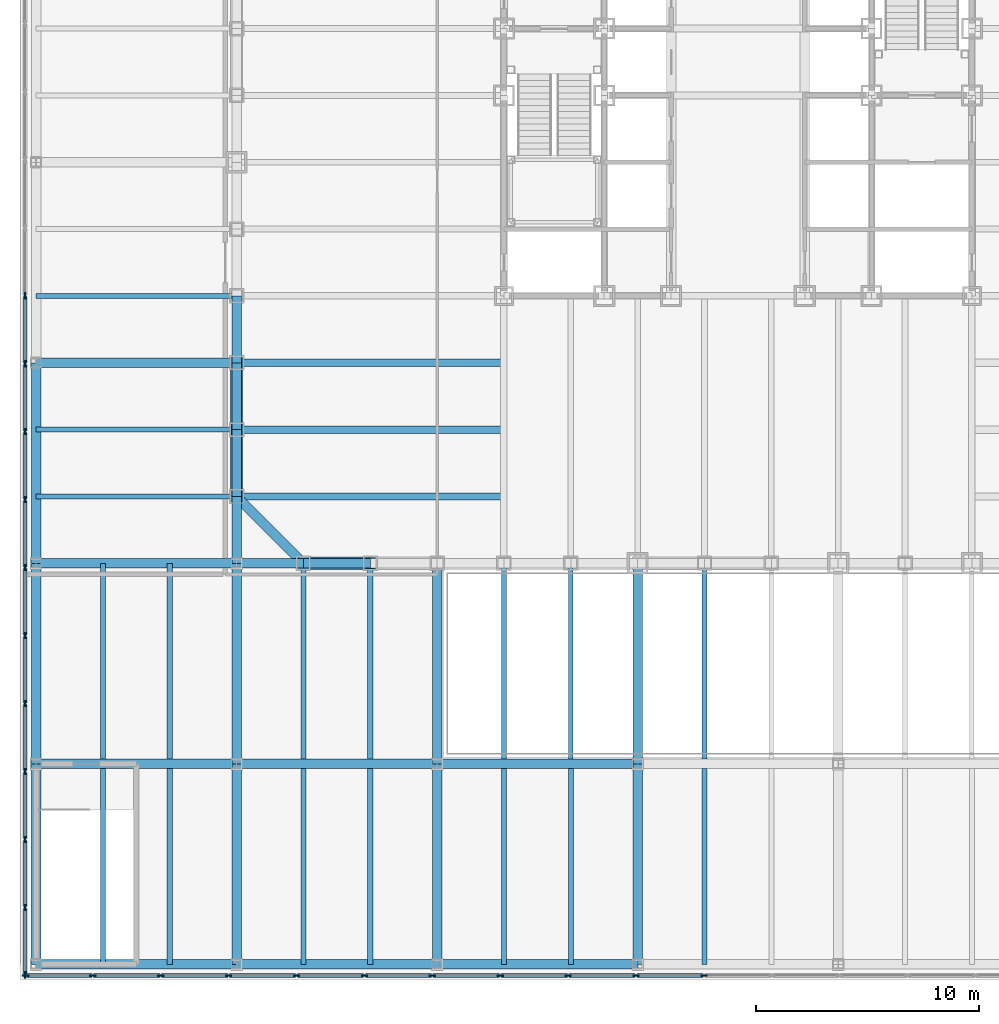
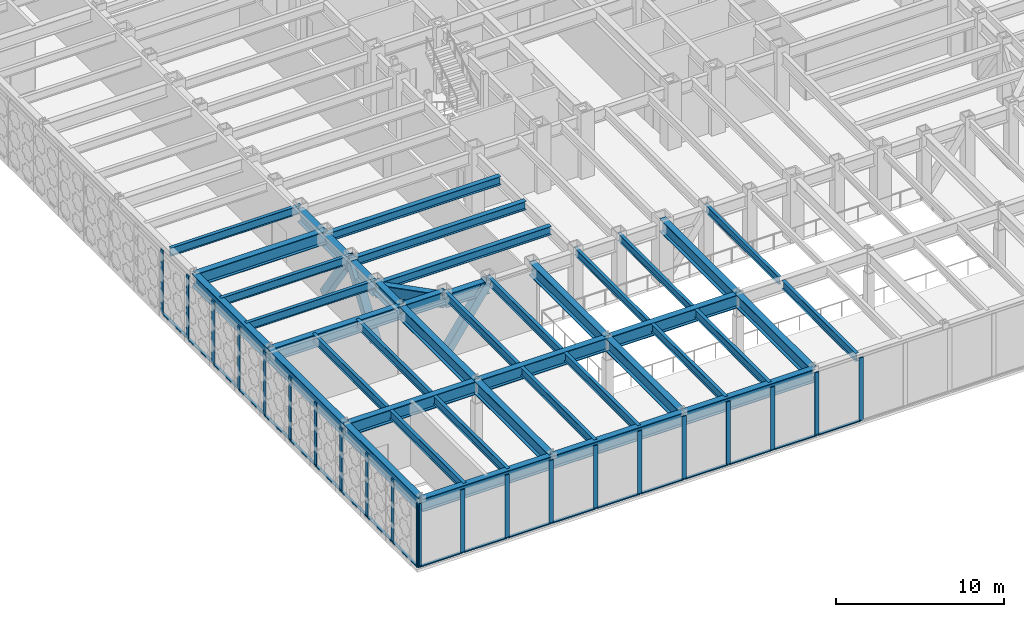
# One storey, part 3 of 24: 48 members, 41 beams, 2 elements without a shape of their own.
"""IFC4 building model written with IfcOpenShell, lengths in metres."""

import ifcopenshell
import ifcopenshell.guid

model = None  # the IFC model being written
_history = None  # IfcOwnerHistory: only IFC2X3 demands one
_inside = {}  # id of a spatial element -> (the spatial element, [elements in it])
_under = {}  # id of a project, library or spatial element -> (it, [spatial elements below it])
_declared = {}  # id of a project -> (the project, [libraries it declares])
_typed = {}  # id of a type object -> (the type object, [elements of that type])
_made_of = {}  # id of a material, layer set ... -> (it, [elements and type objects made of it])


def new_model(schema):
    """Start an empty IFC model of exactly this schema.

    Asked for "IFC4X3", IfcOpenShell would pick the latest addendum, in which some entities
    have other attributes; the version numbers below select the first issue.
    IFC2X3 requires an IfcOwnerHistory on every rooted entity: one is made here for all.
    """
    global model, _history
    if schema == "IFC4X3":
        model = ifcopenshell.file(schema_version=(4, 3, 0, 0))
    else:
        model = ifcopenshell.file(schema=schema)
    _inside.clear()
    _under.clear()
    _declared.clear()
    _typed.clear()
    _made_of.clear()
    _history = None
    if model.schema == "IFC2X3":
        org = make("IfcOrganization", Name="unknown")
        user = make(
            "IfcPersonAndOrganization",
            ThePerson=make("IfcPerson", FamilyName="unknown"),
            TheOrganization=org,
        )
        app = make(
            "IfcApplication",
            ApplicationDeveloper=org,
            Version="unknown",
            ApplicationFullName="unknown",
            ApplicationIdentifier="unknown",
        )
        _history = make(
            "IfcOwnerHistory",
            OwningUser=user,
            OwningApplication=app,
            ChangeAction="ADDED",
            CreationDate=0,
        )
    return model


def make(cls, **values):
    """One entity of the class cls with the attributes given. An attribute that is None is left unset."""
    return model.create_entity(
        cls, **{name: value for name, value in values.items() if value is not None}
    )


def rooted(cls, **values):
    """An entity with a GlobalId (a new one), such as an element, a storey or a relation."""
    return make(cls, GlobalId=ifcopenshell.guid.new(), OwnerHistory=_history, **values)


def si_unit(unit_type, name, prefix=None):
    """IfcSIUnit, for example si_unit("LENGTHUNIT", "METRE", prefix="MILLI")."""
    return make("IfcSIUnit", UnitType=unit_type, Prefix=prefix, Name=name)


def assignment(units):
    """IfcUnitAssignment: the units of a project."""
    return None if units is None else make("IfcUnitAssignment", Units=units)


def point(xyz):
    """IfcCartesianPoint."""
    return None if xyz is None else make("IfcCartesianPoint", Coordinates=xyz)


def direction(xyz):
    """IfcDirection."""
    return None if xyz is None else make("IfcDirection", DirectionRatios=xyz)


def frame(location, z_axis=None, x_axis=None):
    """IfcAxis2Placement3D, a coordinate frame: its origin and axes. An axis left out is left unset."""
    return make(
        "IfcAxis2Placement3D",
        Location=point(location),
        Axis=direction(z_axis),
        RefDirection=direction(x_axis),
    )


def frame_2d(location, x_axis=None):
    """IfcAxis2Placement2D, a coordinate frame in the plane: its origin and x axis."""
    return make(
        "IfcAxis2Placement2D", Location=point(location), RefDirection=direction(x_axis)
    )


def origin():
    """The frame at (0, 0, 0) with its axes left unset."""
    return frame((0.0, 0.0, 0.0))


def origin_2d():
    """The frame at (0, 0) in the plane with its x axis left unset."""
    return frame_2d((0.0, 0.0))


def place(relative_to, where):
    """IfcLocalPlacement: puts the frame where relative to a parent placement (None: the world)."""
    return make(
        "IfcLocalPlacement", PlacementRelTo=relative_to, RelativePlacement=where
    )


def context(
    kind, dimensions, precision=None, world=None, true_north=None, identifier=None
):
    """IfcGeometricRepresentationContext, for example the 3D "Model" context."""
    return make(
        "IfcGeometricRepresentationContext",
        ContextIdentifier=identifier,
        ContextType=kind,
        CoordinateSpaceDimension=dimensions,
        Precision=precision,
        WorldCoordinateSystem=world,
        TrueNorth=true_north,
    )


def subcontext(parent, identifier, kind, view, scale=None):
    """IfcGeometricRepresentationSubContext, for example "Body" below "Model"."""
    return make(
        "IfcGeometricRepresentationSubContext",
        ContextIdentifier=identifier,
        ContextType=kind,
        ParentContext=parent,
        TargetScale=scale,
        TargetView=view,
    )


def project(units=None, contexts=None):
    """IfcProject with its units and contexts."""
    return rooted(
        "IfcProject",
        Name="project",
        RepresentationContexts=contexts,
        UnitsInContext=assignment(units),
    )


def spatial(cls, under=None, at=None, **own):
    """A site, building, storey or space (cls), placed at a placement, below another one or the project."""
    s = rooted(cls, ObjectPlacement=at, **own)
    if under is not None:
        _under.setdefault(under.id(), (under, []))[1].append(s)
    return s


def profile(cls, at=None, kind="AREA", **sizes):
    """A parametric profile (cls). Its sizes go by their IFC names, for example OverallWidth=200.0."""
    return make(cls, ProfileType=kind, Position=at, **sizes)


def rectangle(**sizes):
    """IfcRectangleProfileDef."""
    return profile("IfcRectangleProfileDef", **sizes)


def hollow_rectangle(**sizes):
    """IfcRectangleHollowProfileDef."""
    return profile("IfcRectangleHollowProfileDef", **sizes)


def i_section(**sizes):
    """IfcIShapeProfileDef."""
    return profile("IfcIShapeProfileDef", **sizes)


def extrude(swept, where, along, depth):
    """IfcExtrudedAreaSolid: the profile swept, set in the frame where, extruded along a direction by depth."""
    return make(
        "IfcExtrudedAreaSolid",
        SweptArea=swept,
        Position=where,
        ExtrudedDirection=direction(along),
        Depth=depth,
    )


def shape(context_of_items, identifier, shape_type, items):
    """IfcShapeRepresentation: the items that make up one representation, for example the "Body"."""
    return make(
        "IfcShapeRepresentation",
        ContextOfItems=context_of_items,
        RepresentationIdentifier=identifier,
        RepresentationType=shape_type,
        Items=items,
    )


def material(Name=None, Category=None):
    """IfcMaterial."""
    return make("IfcMaterial", Name=Name, Category=Category)


def layer(
    of_material, thickness, ventilated=None, Name=None, Category=None, Priority=None
):
    """IfcMaterialLayer: one layer of a wall or slab, of a material (None: an air gap)."""
    return make(
        "IfcMaterialLayer",
        Material=of_material,
        LayerThickness=thickness,
        IsVentilated=ventilated,
        Name=Name,
        Category=Category,
        Priority=Priority,
    )


def layer_set(layers, Name=None):
    """IfcMaterialLayerSet."""
    return make("IfcMaterialLayerSet", MaterialLayers=layers, LayerSetName=Name)


def material_profile(
    of_material, cross_section, Name=None, Category=None, Priority=None
):
    """IfcMaterialProfile: a cross section and its material."""
    return make(
        "IfcMaterialProfile",
        Name=Name,
        Material=of_material,
        Profile=cross_section,
        Priority=Priority,
        Category=Category,
    )


def profile_set(profiles, Name=None, composite=None):
    """IfcMaterialProfileSet."""
    return make(
        "IfcMaterialProfileSet",
        Name=Name,
        MaterialProfiles=profiles,
        CompositeProfile=composite,
    )


def made_of(thing, what):
    """Note that an element or type object is made of a material, layer set ...; save() writes the relation."""
    if what is not None:
        _made_of.setdefault(what.id(), (what, []))[1].append(thing)
    return thing


def type_object(cls, material=None, **own):
    """A type object (cls), such as IfcWallType, which elements share."""
    return made_of(rooted(cls, **own), material)


def element(
    cls,
    number,
    at=None,
    inside=None,
    cuts=None,
    type_object=None,
    material=None,
    context=None,
    identifier="Body",
    shape_type=None,
    held_by="IfcProductDefinitionShape",
    body=None,
    shapes=None,
    **own,
):
    """One element of the class cls, such as IfcWall. Its Tag is "e" and its number.

    at: its placement. inside: the storey or other place that contains it. cuts: it is an
    opening in that element (IfcRelVoidsElement). A single representation is given by context,
    identifier, shape_type and body (its items); several are given by shapes. held_by: the class
    of the entity that holds the representations. save() writes the other relations.
    """
    e = rooted(cls, Tag="e%d" % number, ObjectPlacement=at, **own)
    if body is not None:
        shapes = [shape(context, identifier, shape_type, body)]
    if shapes is not None:
        e.Representation = make(held_by, Representations=shapes)
    if inside is not None:
        _inside.setdefault(inside.id(), (inside, []))[1].append(e)
    if cuts is not None:
        rooted(
            "IfcRelVoidsElement", RelatingBuildingElement=cuts, RelatedOpeningElement=e
        )
    if type_object is not None:
        _typed.setdefault(type_object.id(), (type_object, []))[1].append(e)
    return made_of(e, material)


def aggregate(whole, parts):
    """IfcRelAggregates: a whole, such as a stair, and the parts it consists of."""
    return rooted("IfcRelAggregates", RelatingObject=whole, RelatedObjects=parts)


def save(model, path):
    """Write the relations noted so far, then the file.

    IfcRelAggregates (storeys below a building ...), IfcRelContainedInSpatialStructure (elements
    in a storey), IfcRelDefinesByType, IfcRelAssociatesMaterial and IfcRelDeclares: one each for
    every whole, place, type object, material and project.
    """
    for whole, parts in _under.values():
        aggregate(whole, parts)
    for where, things in _inside.values():
        rooted(
            "IfcRelContainedInSpatialStructure",
            RelatedElements=things,
            RelatingStructure=where,
        )
    for kind, things in _typed.values():
        rooted("IfcRelDefinesByType", RelatedObjects=things, RelatingType=kind)
    for what, things in _made_of.values():
        rooted("IfcRelAssociatesMaterial", RelatedObjects=things, RelatingMaterial=what)
    for by, libraries in _declared.values():
        rooted("IfcRelDeclares", RelatingContext=by, RelatedDefinitions=libraries)
    model.write(path)


model = new_model("IFC4")

# Units and contexts
model_context = context("Model", 3, precision=1e-05, world=origin(), true_north=direction((0.0, 1.0)))
body_context = subcontext(model_context, "Body", "Model", "MODEL_VIEW")
ifc_project = project(units=[si_unit("LENGTHUNIT", "METRE"), si_unit("AREAUNIT", "SQUARE_METRE"), si_unit("VOLUMEUNIT", "CUBIC_METRE"), si_unit("PLANEANGLEUNIT", "RADIAN"), si_unit("MASSUNIT", "GRAM", prefix="KILO")], contexts=[model_context])

# Site, building, storey
site_placement = place(None, origin())
site = spatial("IfcSite", under=ifc_project, at=site_placement, CompositionType="ELEMENT")
building_placement = place(site_placement, origin())
building = spatial("IfcBuilding", under=site, at=building_placement, Name="Chuquiago Exchange Tower", CompositionType="ELEMENT")
storey_placement = place(building_placement, frame((0.0, 0.0, 19.5)))
storey = spatial("IfcBuildingStorey", under=building, at=storey_placement, Name="L03", CompositionType="ELEMENT", Elevation=19.5)

# Beams
ifc_material_1 = material(Name="Steel ASTM A992", Category="steel")
ifc_material_profile_1 = material_profile(ifc_material_1, i_section(OverallWidth=0.3251953125, OverallDepth=0.6171875, WebThickness=0.013916015625, FlangeThickness=0.021484375, at=origin_2d()), Name="W24X117")
ifc_profile_set_1 = profile_set([ifc_material_profile_1], Name="Steel ASTM A992")
beam_type_1 = type_object("IfcBeamType", Name="B5 W24X117", PredefinedType="BEAM", material=ifc_profile_set_1)
for number, where, z_axis, x_axis, name in (
    (1, (12.0, 3.0, 4.031494140625), (-1.0, 0.0, 0.0), (0.0, -1.0, 0.0), "FB-L04-corner-12_3--0_3-0"),
    (2, (12.0, 6.0, 4.031494140625), (-1.0, 0.0, 0.0), (0.0, -1.0, 0.0), "FB-L04-corner-12_6--0_6-0"),
    (3, (12.0, 9.0, 4.031494140625), (-1.0, 0.0, 0.0), (0.0, -1.0, 0.0), "FB-L04-corner-12_9--0_9-0"),
):
    element("IfcBeam", number, at=place(storey_placement, frame(where, z_axis=z_axis, x_axis=x_axis)), inside=storey, type_object=beam_type_1, Name=name, PredefinedType="BEAM", context=body_context, shape_type="SweptSolid", body=[
        extrude(i_section(OverallWidth=0.3251953125, OverallDepth=0.6171875, WebThickness=0.013916015625, FlangeThickness=0.021484375, at=origin_2d()), origin(), (0.0, 0.0, 1.0), 12.0),
    ])

# Curtain wall, members
ifc_material_2 = material(Name="Aluminium curtain wall system", Category="aluminium")
ifc_layer = layer(ifc_material_2, 0.300048828125)
ifc_layer_set = layer_set([ifc_layer], Name="CW4 podium curtain wall")
curtain_wall_type = type_object("IfcCurtainWallType", Name="CW4 podium curtain wall", PredefinedType="NOTDEFINED", material=ifc_layer_set)
curtain_wall_1_placement = place(storey_placement, origin())
curtain_wall_1 = element("IfcCurtainWall", 4, at=curtain_wall_1_placement, inside=storey, type_object=curtain_wall_type, Name="CW4 curtain wall L03", PredefinedType="NOTDEFINED")
ifc_material_3 = material(Name="Aluminium mullion, pale anodised", Category="aluminium")
ifc_material_profile_2 = material_profile(ifc_material_3, rectangle(XDim=0.074951171875, YDim=0.300048828125, at=origin_2d()), Name="AL 75x300")
ifc_profile_set_2 = profile_set([ifc_material_profile_2], Name="Aluminium mullion, pale anodised")
member_type_1 = type_object("IfcMemberType", Name="CW4-M mullion 75x300", PredefinedType="MULLION", material=ifc_profile_set_2)
member_1_placement = place(storey_placement, frame((-9.46240234375, -18.5, 0.0), z_axis=(0.0, 0.0, 1.0), x_axis=(0.0, 1.0, 0.0)))
member_1 = element("IfcMember", 5, at=member_1_placement, type_object=member_type_1, Name="CW4 mullion 1", PredefinedType="MULLION", context=body_context, shape_type="SweptSolid", body=[
    extrude(rectangle(XDim=0.074951171875, YDim=0.300048828125, at=origin_2d()), origin(), (0.0, 0.0, 1.0), 4.60009765625),
])
member_2_placement = place(storey_placement, frame((-6.452392578125, -18.5, 0.0), z_axis=(0.0, 0.0, 1.0), x_axis=(0.0, 1.0, 0.0)))
member_2 = element("IfcMember", 6, at=member_2_placement, type_object=member_type_1, Name="CW4 mullion 2", PredefinedType="MULLION", context=body_context, shape_type="SweptSolid", body=[
    extrude(rectangle(XDim=0.074951171875, YDim=0.300048828125, at=origin_2d()), origin(), (0.0, 0.0, 1.0), 4.60009765625),
])
member_3_placement = place(storey_placement, frame((-3.40478515625, -18.5, 0.0), z_axis=(0.0, 0.0, 1.0), x_axis=(0.0, 1.0, 0.0)))
member_3 = element("IfcMember", 7, at=member_3_placement, type_object=member_type_1, Name="CW4 mullion 3", PredefinedType="MULLION", context=body_context, shape_type="SweptSolid", body=[
    extrude(rectangle(XDim=0.074951171875, YDim=0.300048828125, at=origin_2d()), origin(), (0.0, 0.0, 1.0), 4.60009765625),
])
member_4_placement = place(storey_placement, frame((-0.357177734375, -18.5, 0.0), z_axis=(0.0, 0.0, 1.0), x_axis=(0.0, 1.0, 0.0)))
member_4 = element("IfcMember", 8, at=member_4_placement, type_object=member_type_1, Name="CW4 mullion 4", PredefinedType="MULLION", context=body_context, shape_type="SweptSolid", body=[
    extrude(rectangle(XDim=0.074951171875, YDim=0.300048828125, at=origin_2d()), origin(), (0.0, 0.0, 1.0), 4.60009765625),
])
member_5_placement = place(storey_placement, frame((2.6904296875, -18.5, 0.0), z_axis=(0.0, 0.0, 1.0), x_axis=(0.0, 1.0, 0.0)))
member_5 = element("IfcMember", 9, at=member_5_placement, type_object=member_type_1, Name="CW4 mullion 5", PredefinedType="MULLION", context=body_context, shape_type="SweptSolid", body=[
    extrude(rectangle(XDim=0.074951171875, YDim=0.300048828125, at=origin_2d()), origin(), (0.0, 0.0, 1.0), 4.60009765625),
])
member_6_placement = place(storey_placement, frame((5.738037109375, -18.5, 0.0), z_axis=(0.0, 0.0, 1.0), x_axis=(0.0, 1.0, 0.0)))
member_6 = element("IfcMember", 10, at=member_6_placement, type_object=member_type_1, Name="CW4 mullion 6", PredefinedType="MULLION", context=body_context, shape_type="SweptSolid", body=[
    extrude(rectangle(XDim=0.074951171875, YDim=0.300048828125, at=origin_2d()), origin(), (0.0, 0.0, 1.0), 4.60009765625),
])
member_7_placement = place(storey_placement, frame((8.78564453125, -18.5, 0.0), z_axis=(0.0, 0.0, 1.0), x_axis=(0.0, 1.0, 0.0)))
member_7 = element("IfcMember", 11, at=member_7_placement, type_object=member_type_1, Name="CW4 mullion 7", PredefinedType="MULLION", context=body_context, shape_type="SweptSolid", body=[
    extrude(rectangle(XDim=0.074951171875, YDim=0.300048828125, at=origin_2d()), origin(), (0.0, 0.0, 1.0), 4.60009765625),
])
member_8_placement = place(storey_placement, frame((11.833251953125, -18.5, 0.0), z_axis=(0.0, 0.0, 1.0), x_axis=(0.0, 1.0, 0.0)))
member_8 = element("IfcMember", 12, at=member_8_placement, type_object=member_type_1, Name="CW4 mullion 8", PredefinedType="MULLION", context=body_context, shape_type="SweptSolid", body=[
    extrude(rectangle(XDim=0.074951171875, YDim=0.300048828125, at=origin_2d()), origin(), (0.0, 0.0, 1.0), 4.60009765625),
])
member_9_placement = place(storey_placement, frame((14.880859375, -18.5, 0.0), z_axis=(0.0, 0.0, 1.0), x_axis=(0.0, 1.0, 0.0)))
member_9 = element("IfcMember", 13, at=member_9_placement, type_object=member_type_1, Name="CW4 mullion 9", PredefinedType="MULLION", context=body_context, shape_type="SweptSolid", body=[
    extrude(rectangle(XDim=0.074951171875, YDim=0.300048828125, at=origin_2d()), origin(), (0.0, 0.0, 1.0), 4.60009765625),
])
member_10_placement = place(storey_placement, frame((17.928466796875, -18.5, 0.0), z_axis=(0.0, 0.0, 1.0), x_axis=(0.0, 1.0, 0.0)))
member_10 = element("IfcMember", 14, at=member_10_placement, type_object=member_type_1, Name="CW4 mullion 10", PredefinedType="MULLION", context=body_context, shape_type="SweptSolid", body=[
    extrude(rectangle(XDim=0.074951171875, YDim=0.300048828125, at=origin_2d()), origin(), (0.0, 0.0, 1.0), 4.60009765625),
])
member_11_placement = place(storey_placement, frame((20.97607421875, -18.5, 0.0), z_axis=(0.0, 0.0, 1.0), x_axis=(0.0, 1.0, 0.0)))
member_11 = element("IfcMember", 15, at=member_11_placement, type_object=member_type_1, Name="CW4 mullion 11", PredefinedType="MULLION", context=body_context, shape_type="SweptSolid", body=[
    extrude(rectangle(XDim=0.074951171875, YDim=0.300048828125, at=origin_2d()), origin(), (0.0, 0.0, 1.0), 4.60009765625),
])

curtain_wall_2_placement = place(storey_placement, origin())
curtain_wall_2 = element("IfcCurtainWall", 16, at=curtain_wall_2_placement, inside=storey, type_object=curtain_wall_type, Name="CW4 curtain wall L03", PredefinedType="NOTDEFINED")
member_12_placement = place(storey_placement, frame((-9.5, 12.011962890625, 0.0), z_axis=(0.0, 0.0, 1.0), x_axis=(1.0, 0.0, 0.0)))
member_12 = element("IfcMember", 17, at=member_12_placement, type_object=member_type_1, Name="CW4 mullion 12", PredefinedType="MULLION", context=body_context, shape_type="SweptSolid", body=[
    extrude(rectangle(XDim=0.074951171875, YDim=0.300048828125, at=origin_2d()), origin(), (0.0, 0.0, 1.0), 4.60009765625),
])
member_13_placement = place(storey_placement, frame((-9.5, 8.960693359375, 0.0), z_axis=(0.0, 0.0, 1.0), x_axis=(1.0, 0.0, 0.0)))
member_13 = element("IfcMember", 18, at=member_13_placement, type_object=member_type_1, Name="CW4 mullion 13", PredefinedType="MULLION", context=body_context, shape_type="SweptSolid", body=[
    extrude(rectangle(XDim=0.074951171875, YDim=0.300048828125, at=origin_2d()), origin(), (0.0, 0.0, 1.0), 4.60009765625),
])
member_14_placement = place(storey_placement, frame((-9.5, 5.909423828125, 0.0), z_axis=(0.0, 0.0, 1.0), x_axis=(1.0, 0.0, 0.0)))
member_14 = element("IfcMember", 19, at=member_14_placement, type_object=member_type_1, Name="CW4 mullion 14", PredefinedType="MULLION", context=body_context, shape_type="SweptSolid", body=[
    extrude(rectangle(XDim=0.074951171875, YDim=0.300048828125, at=origin_2d()), origin(), (0.0, 0.0, 1.0), 4.60009765625),
])
member_15_placement = place(storey_placement, frame((-9.5, 2.8583984375, 0.0), z_axis=(0.0, 0.0, 1.0), x_axis=(1.0, 0.0, 0.0)))
member_15 = element("IfcMember", 20, at=member_15_placement, type_object=member_type_1, Name="CW4 mullion 15", PredefinedType="MULLION", context=body_context, shape_type="SweptSolid", body=[
    extrude(rectangle(XDim=0.074951171875, YDim=0.300048828125, at=origin_2d()), origin(), (0.0, 0.0, 1.0), 4.60009765625),
])
member_16_placement = place(storey_placement, frame((-9.5, -0.19287109375, 0.0), z_axis=(0.0, 0.0, 1.0), x_axis=(1.0, 0.0, 0.0)))
member_16 = element("IfcMember", 21, at=member_16_placement, type_object=member_type_1, Name="CW4 mullion 16", PredefinedType="MULLION", context=body_context, shape_type="SweptSolid", body=[
    extrude(rectangle(XDim=0.074951171875, YDim=0.300048828125, at=origin_2d()), origin(), (0.0, 0.0, 1.0), 4.60009765625),
])
member_17_placement = place(storey_placement, frame((-9.5, -3.244140625, 0.0), z_axis=(0.0, 0.0, 1.0), x_axis=(1.0, 0.0, 0.0)))
member_17 = element("IfcMember", 22, at=member_17_placement, type_object=member_type_1, Name="CW4 mullion 17", PredefinedType="MULLION", context=body_context, shape_type="SweptSolid", body=[
    extrude(rectangle(XDim=0.074951171875, YDim=0.300048828125, at=origin_2d()), origin(), (0.0, 0.0, 1.0), 4.60009765625),
])
member_18_placement = place(storey_placement, frame((-9.5, -6.295166015625, 0.0), z_axis=(0.0, 0.0, 1.0), x_axis=(1.0, 0.0, 0.0)))
member_18 = element("IfcMember", 23, at=member_18_placement, type_object=member_type_1, Name="CW4 mullion 18", PredefinedType="MULLION", context=body_context, shape_type="SweptSolid", body=[
    extrude(rectangle(XDim=0.074951171875, YDim=0.300048828125, at=origin_2d()), origin(), (0.0, 0.0, 1.0), 4.60009765625),
])
member_19_placement = place(storey_placement, frame((-9.5, -9.346435546875, 0.0), z_axis=(0.0, 0.0, 1.0), x_axis=(1.0, 0.0, 0.0)))
member_19 = element("IfcMember", 24, at=member_19_placement, type_object=member_type_1, Name="CW4 mullion 19", PredefinedType="MULLION", context=body_context, shape_type="SweptSolid", body=[
    extrude(rectangle(XDim=0.074951171875, YDim=0.300048828125, at=origin_2d()), origin(), (0.0, 0.0, 1.0), 4.60009765625),
])
member_20_placement = place(storey_placement, frame((-9.5, -12.397705078125, 0.0), z_axis=(0.0, 0.0, 1.0), x_axis=(1.0, 0.0, 0.0)))
member_20 = element("IfcMember", 25, at=member_20_placement, type_object=member_type_1, Name="CW4 mullion 20", PredefinedType="MULLION", context=body_context, shape_type="SweptSolid", body=[
    extrude(rectangle(XDim=0.074951171875, YDim=0.300048828125, at=origin_2d()), origin(), (0.0, 0.0, 1.0), 4.60009765625),
])
member_21_placement = place(storey_placement, frame((-9.5, -15.44873046875, 0.0), z_axis=(0.0, 0.0, 1.0), x_axis=(1.0, 0.0, 0.0)))
member_21 = element("IfcMember", 26, at=member_21_placement, type_object=member_type_1, Name="CW4 mullion 21", PredefinedType="MULLION", context=body_context, shape_type="SweptSolid", body=[
    extrude(rectangle(XDim=0.074951171875, YDim=0.300048828125, at=origin_2d()), origin(), (0.0, 0.0, 1.0), 4.60009765625),
])
member_22_placement = place(storey_placement, frame((-9.5, -18.46240234375, 0.0), z_axis=(0.0, 0.0, 1.0), x_axis=(1.0, 0.0, 0.0)))
member_22 = element("IfcMember", 27, at=member_22_placement, type_object=member_type_1, Name="CW4 mullion 22", PredefinedType="MULLION", context=body_context, shape_type="SweptSolid", body=[
    extrude(rectangle(XDim=0.074951171875, YDim=0.300048828125, at=origin_2d()), origin(), (0.0, 0.0, 1.0), 4.60009765625),
])

# Member
ifc_material_4 = material(Name="Aluminium transom, pale anodised", Category="aluminium")
ifc_material_profile_3 = material_profile(ifc_material_4, rectangle(XDim=0.179931640625, YDim=0.074951171875, at=origin_2d()), Name="AL 180x75")
ifc_profile_set_3 = profile_set([ifc_material_profile_3], Name="Aluminium transom, pale anodised")
member_type_2 = type_object("IfcMemberType", Name="CW4-T transom 75x180", PredefinedType="MULLION", material=ifc_profile_set_3)
member_23_placement = place(storey_placement, frame((-9.425048828125, -18.5, 0.03759765625), z_axis=(1.0, 0.0, 0.0), x_axis=(0.0, 1.0, 0.0)))
member_23 = element("IfcMember", 28, at=member_23_placement, type_object=member_type_2, Name="CW4 transom 1.1", PredefinedType="MULLION", context=body_context, shape_type="SweptSolid", body=[
    extrude(rectangle(XDim=0.179931640625, YDim=0.074951171875, at=origin_2d()), origin(), (0.0, 0.0, 1.0), 2.93505859375),
])

member_24_placement = place(storey_placement, frame((-6.414794921875, -18.5, 0.03759765625), z_axis=(1.0, 0.0, 0.0), x_axis=(0.0, 1.0, 0.0)))
member_24 = element("IfcMember", 29, at=member_24_placement, type_object=member_type_2, Name="CW4 transom 2.1", PredefinedType="MULLION", context=body_context, shape_type="SweptSolid", body=[
    extrude(rectangle(XDim=0.179931640625, YDim=0.074951171875, at=origin_2d()), origin(), (0.0, 0.0, 1.0), 2.972412109375),
])

member_25_placement = place(storey_placement, frame((-3.3671875, -18.5, 0.03759765625), z_axis=(1.0, 0.0, 0.0), x_axis=(0.0, 1.0, 0.0)))
member_25 = element("IfcMember", 30, at=member_25_placement, type_object=member_type_2, Name="CW4 transom 3.1", PredefinedType="MULLION", context=body_context, shape_type="SweptSolid", body=[
    extrude(rectangle(XDim=0.179931640625, YDim=0.074951171875, at=origin_2d()), origin(), (0.0, 0.0, 1.0), 2.97265625),
])

member_26_placement = place(storey_placement, frame((-0.319580078125, -18.5, 0.03759765625), z_axis=(1.0, 0.0, 0.0), x_axis=(0.0, 1.0, 0.0)))
member_26 = element("IfcMember", 31, at=member_26_placement, type_object=member_type_2, Name="CW4 transom 4.1", PredefinedType="MULLION", context=body_context, shape_type="SweptSolid", body=[
    extrude(rectangle(XDim=0.179931640625, YDim=0.074951171875, at=origin_2d()), origin(), (0.0, 0.0, 1.0), 2.97265625),
])

member_27_placement = place(storey_placement, frame((2.72802734375, -18.5, 0.03759765625), z_axis=(1.0, 0.0, 0.0), x_axis=(0.0, 1.0, 0.0)))
member_27 = element("IfcMember", 32, at=member_27_placement, type_object=member_type_2, Name="CW4 transom 5.1", PredefinedType="MULLION", context=body_context, shape_type="SweptSolid", body=[
    extrude(rectangle(XDim=0.179931640625, YDim=0.074951171875, at=origin_2d()), origin(), (0.0, 0.0, 1.0), 2.97265625),
])

member_28_placement = place(storey_placement, frame((5.775634765625, -18.5, 0.03759765625), z_axis=(1.0, 0.0, 0.0), x_axis=(0.0, 1.0, 0.0)))
member_28 = element("IfcMember", 33, at=member_28_placement, type_object=member_type_2, Name="CW4 transom 6.1", PredefinedType="MULLION", context=body_context, shape_type="SweptSolid", body=[
    extrude(rectangle(XDim=0.179931640625, YDim=0.074951171875, at=origin_2d()), origin(), (0.0, 0.0, 1.0), 2.97265625),
])

member_29_placement = place(storey_placement, frame((8.8232421875, -18.5, 0.03759765625), z_axis=(1.0, 0.0, 0.0), x_axis=(0.0, 1.0, 0.0)))
member_29 = element("IfcMember", 34, at=member_29_placement, type_object=member_type_2, Name="CW4 transom 7.1", PredefinedType="MULLION", context=body_context, shape_type="SweptSolid", body=[
    extrude(rectangle(XDim=0.179931640625, YDim=0.074951171875, at=origin_2d()), origin(), (0.0, 0.0, 1.0), 2.97265625),
])

member_30_placement = place(storey_placement, frame((11.870849609375, -18.5, 0.03759765625), z_axis=(1.0, 0.0, 0.0), x_axis=(0.0, 1.0, 0.0)))
member_30 = element("IfcMember", 35, at=member_30_placement, type_object=member_type_2, Name="CW4 transom 8.1", PredefinedType="MULLION", context=body_context, shape_type="SweptSolid", body=[
    extrude(rectangle(XDim=0.179931640625, YDim=0.074951171875, at=origin_2d()), origin(), (0.0, 0.0, 1.0), 2.97265625),
])

member_31_placement = place(storey_placement, frame((14.91845703125, -18.5, 0.03759765625), z_axis=(1.0, 0.0, 0.0), x_axis=(0.0, 1.0, 0.0)))
member_31 = element("IfcMember", 36, at=member_31_placement, type_object=member_type_2, Name="CW4 transom 9.1", PredefinedType="MULLION", context=body_context, shape_type="SweptSolid", body=[
    extrude(rectangle(XDim=0.179931640625, YDim=0.074951171875, at=origin_2d()), origin(), (0.0, 0.0, 1.0), 2.97265625),
])

member_32_placement = place(storey_placement, frame((17.966064453125, -18.5, 0.03759765625), z_axis=(1.0, 0.0, 0.0), x_axis=(0.0, 1.0, 0.0)))
member_32 = element("IfcMember", 37, at=member_32_placement, type_object=member_type_2, Name="CW4 transom 10.1", PredefinedType="MULLION", context=body_context, shape_type="SweptSolid", body=[
    extrude(rectangle(XDim=0.179931640625, YDim=0.074951171875, at=origin_2d()), origin(), (0.0, 0.0, 1.0), 2.97265625),
])

aggregate(curtain_wall_1, [member_1, member_2, member_3, member_4, member_5, member_6, member_7, member_8, member_9, member_10, member_11, member_23, member_24, member_25, member_26, member_27, member_28, member_29, member_30, member_31, member_32])

member_33_placement = place(storey_placement, frame((-9.5, 11.974365234375, 0.03759765625), z_axis=(0.0, -1.0, 0.0), x_axis=(1.0, 0.0, 0.0)))
member_33 = element("IfcMember", 38, at=member_33_placement, type_object=member_type_2, Name="CW4 transom 12.1", PredefinedType="MULLION", context=body_context, shape_type="SweptSolid", body=[
    extrude(rectangle(XDim=0.179931640625, YDim=0.074951171875, at=origin_2d()), origin(), (0.0, 0.0, 1.0), 2.97607421875),
])

member_34_placement = place(storey_placement, frame((-9.5, 8.923095703125, 0.03759765625), z_axis=(0.0, -1.0, 0.0), x_axis=(1.0, 0.0, 0.0)))
member_34 = element("IfcMember", 39, at=member_34_placement, type_object=member_type_2, Name="CW4 transom 13.1", PredefinedType="MULLION", context=body_context, shape_type="SweptSolid", body=[
    extrude(rectangle(XDim=0.179931640625, YDim=0.074951171875, at=origin_2d()), origin(), (0.0, 0.0, 1.0), 2.97607421875),
])

member_35_placement = place(storey_placement, frame((-9.5, 5.8720703125, 0.03759765625), z_axis=(0.0, -1.0, 0.0), x_axis=(1.0, 0.0, 0.0)))
member_35 = element("IfcMember", 40, at=member_35_placement, type_object=member_type_2, Name="CW4 transom 14.1", PredefinedType="MULLION", context=body_context, shape_type="SweptSolid", body=[
    extrude(rectangle(XDim=0.179931640625, YDim=0.074951171875, at=origin_2d()), origin(), (0.0, 0.0, 1.0), 2.976318359375),
])

member_36_placement = place(storey_placement, frame((-9.5, 2.82080078125, 0.03759765625), z_axis=(0.0, -1.0, 0.0), x_axis=(1.0, 0.0, 0.0)))
member_36 = element("IfcMember", 41, at=member_36_placement, type_object=member_type_2, Name="CW4 transom 15.1", PredefinedType="MULLION", context=body_context, shape_type="SweptSolid", body=[
    extrude(rectangle(XDim=0.179931640625, YDim=0.074951171875, at=origin_2d()), origin(), (0.0, 0.0, 1.0), 2.97607421875),
])

member_37_placement = place(storey_placement, frame((-9.5, -0.23046875, 0.03759765625), z_axis=(0.0, -1.0, 0.0), x_axis=(1.0, 0.0, 0.0)))
member_37 = element("IfcMember", 42, at=member_37_placement, type_object=member_type_2, Name="CW4 transom 16.1", PredefinedType="MULLION", context=body_context, shape_type="SweptSolid", body=[
    extrude(rectangle(XDim=0.179931640625, YDim=0.074951171875, at=origin_2d()), origin(), (0.0, 0.0, 1.0), 2.97607421875),
])

member_38_placement = place(storey_placement, frame((-9.5, -3.281494140625, 0.03759765625), z_axis=(0.0, -1.0, 0.0), x_axis=(1.0, 0.0, 0.0)))
member_38 = element("IfcMember", 43, at=member_38_placement, type_object=member_type_2, Name="CW4 transom 17.1", PredefinedType="MULLION", context=body_context, shape_type="SweptSolid", body=[
    extrude(rectangle(XDim=0.179931640625, YDim=0.074951171875, at=origin_2d()), origin(), (0.0, 0.0, 1.0), 2.976318359375),
])

member_39_placement = place(storey_placement, frame((-9.5, -6.332763671875, 0.03759765625), z_axis=(0.0, -1.0, 0.0), x_axis=(1.0, 0.0, 0.0)))
member_39 = element("IfcMember", 44, at=member_39_placement, type_object=member_type_2, Name="CW4 transom 18.1", PredefinedType="MULLION", context=body_context, shape_type="SweptSolid", body=[
    extrude(rectangle(XDim=0.179931640625, YDim=0.074951171875, at=origin_2d()), origin(), (0.0, 0.0, 1.0), 2.97607421875),
])

member_40_placement = place(storey_placement, frame((-9.5, -9.384033203125, 0.03759765625), z_axis=(0.0, -1.0, 0.0), x_axis=(1.0, 0.0, 0.0)))
member_40 = element("IfcMember", 45, at=member_40_placement, type_object=member_type_2, Name="CW4 transom 19.1", PredefinedType="MULLION", context=body_context, shape_type="SweptSolid", body=[
    extrude(rectangle(XDim=0.179931640625, YDim=0.074951171875, at=origin_2d()), origin(), (0.0, 0.0, 1.0), 2.97607421875),
])

member_41_placement = place(storey_placement, frame((-9.5, -12.43505859375, 0.03759765625), z_axis=(0.0, -1.0, 0.0), x_axis=(1.0, 0.0, 0.0)))
member_41 = element("IfcMember", 46, at=member_41_placement, type_object=member_type_2, Name="CW4 transom 20.1", PredefinedType="MULLION", context=body_context, shape_type="SweptSolid", body=[
    extrude(rectangle(XDim=0.179931640625, YDim=0.074951171875, at=origin_2d()), origin(), (0.0, 0.0, 1.0), 2.976318359375),
])

member_42_placement = place(storey_placement, frame((-9.5, -15.486328125, 0.03759765625), z_axis=(0.0, -1.0, 0.0), x_axis=(1.0, 0.0, 0.0)))
member_42 = element("IfcMember", 47, at=member_42_placement, type_object=member_type_2, Name="CW4 transom 21.1", PredefinedType="MULLION", context=body_context, shape_type="SweptSolid", body=[
    extrude(rectangle(XDim=0.179931640625, YDim=0.074951171875, at=origin_2d()), origin(), (0.0, 0.0, 1.0), 2.938720703125),
])

aggregate(curtain_wall_2, [member_12, member_13, member_14, member_15, member_16, member_17, member_18, member_19, member_20, member_21, member_22, member_33, member_34, member_35, member_36, member_37, member_38, member_39, member_40, member_41, member_42])

# Members
ifc_material_5 = material(Name="Steel ASTM A572 Grade 50", Category="steel")
ifc_material_profile_4 = material_profile(ifc_material_5, hollow_rectangle(XDim=0.550048828125, YDim=0.550048828125, WallThickness=0.044921875, at=origin_2d()), Name="BOX550X550X45")
ifc_profile_set_4 = profile_set([ifc_material_profile_4], Name="Steel ASTM A572 Grade 50")
member_type_3 = type_object("IfcMemberType", Name="MB1 BOX550X550X45", PredefinedType="BRACE", material=ifc_profile_set_4)
for number, where, z_axis, x_axis, name in (
    (48, (3.0, 0.0, 0.0), (0.568610676405, 0.0, 0.822606770382), (0.0, 1.0, 0.0), "Mega diagonal L03 S face"),
    (49, (0.0, 9.0, 0.0), (0.0, -0.568610676405, 0.822606770382), (1.0, 0.0, 0.0), "Mega diagonal L03 W face"),
    (50, (0.0, 3.0, 0.0), (0.0, 0.568610676405, 0.822606770382), (-1.0, 0.0, 0.0), "Mega diagonal L03 W face"),
):
    element("IfcMember", number, at=place(storey_placement, frame(where, z_axis=z_axis, x_axis=x_axis)), inside=storey, type_object=member_type_3, Name=name, PredefinedType="BRACE", context=body_context, shape_type="SweptSolid", body=[
        extrude(hollow_rectangle(XDim=0.550048828125, YDim=0.550048828125, WallThickness=0.044921875, at=origin_2d()), origin(), (0.0, 0.0, 1.0), 5.276123046875),
    ])

# Beams
ifc_material_6 = material(Name="Steel ASTM A992", Category="steel")
ifc_material_profile_5 = material_profile(ifc_material_6, i_section(OverallWidth=0.227783203125, OverallDepth=0.60205078125, WebThickness=0.010498046875, FlangeThickness=0.014892578125, at=origin_2d()), Name="W24X68")
ifc_profile_set_5 = profile_set([ifc_material_profile_5], Name="Steel ASTM A992")
beam_type_2 = type_object("IfcBeamType", Name="PB1 W24X68", PredefinedType="BEAM", material=ifc_profile_set_5)
for number, where, z_axis, x_axis, name in (
    (51, (-6.0, -18.0, 4.299072265625), (0.0, 1.0, 0.0), (-1.0, 0.0, 0.0), "PB-L04--6_-18"),
    (52, (-6.0, -8.787841796875, 4.299072265625), (0.0, 1.0, 0.0), (-1.0, 0.0, 0.0), "PB-L04--6_-9"),
    (53, (-3.0, -18.0, 4.299072265625), (0.0, 1.0, 0.0), (-1.0, 0.0, 0.0), "PB-L04--3_-18"),
    (54, (-3.0, -8.787841796875, 4.299072265625), (0.0, 1.0, 0.0), (-1.0, 0.0, 0.0), "PB-L04--3_-9"),
    (55, (3.0, -18.0, 4.299072265625), (0.0, 1.0, 0.0), (-1.0, 0.0, 0.0), "PB-L04-3_-18"),
    (56, (3.0, -8.787841796875, 4.299072265625), (0.0, 1.0, 0.0), (-1.0, 0.0, 0.0), "PB-L04-3_-9"),
    (57, (6.0, -18.0, 4.299072265625), (0.0, 1.0, 0.0), (-1.0, 0.0, 0.0), "PB-L04-6_-18"),
    (58, (6.0, -8.787841796875, 4.299072265625), (0.0, 1.0, 0.0), (-1.0, 0.0, 0.0), "PB-L04-6_-9"),
    (59, (12.0, -18.0, 4.299072265625), (0.0, 1.0, 0.0), (-1.0, 0.0, 0.0), "PB-L04-12_-18"),
    (60, (15.0, -18.0, 4.299072265625), (0.0, 1.0, 0.0), (-1.0, 0.0, 0.0), "PB-L04-15_-18"),
    (61, (21.0, -18.0, 4.299072265625), (0.0, 1.0, 0.0), (-1.0, 0.0, 0.0), "PB-L04-21_-18"),
):
    element("IfcBeam", number, at=place(storey_placement, frame(where, z_axis=z_axis, x_axis=x_axis)), inside=storey, type_object=beam_type_2, Name=name, PredefinedType="BEAM", context=body_context, shape_type="SweptSolid", body=[
        extrude(i_section(OverallWidth=0.227783203125, OverallDepth=0.60205078125, WebThickness=0.010498046875, FlangeThickness=0.014892578125, at=origin_2d()), origin(), (0.0, 0.0, 1.0), 8.787841796875),
    ])
for number, where, z_axis, x_axis, name in (
    (62, (-9.0, 3.0, 4.299072265625), (1.0, 0.0, 0.0), (0.0, 1.0, 0.0), "PB-L04--9_3"),
    (63, (-9.0, 6.0, 4.299072265625), (1.0, 0.0, 0.0), (0.0, 1.0, 0.0), "PB-L04--9_6"),
    (64, (-9.0, 12.0, 4.299072265625), (1.0, 0.0, 0.0), (0.0, 1.0, 0.0), "PB-L04--9_12"),
):
    element("IfcBeam", number, at=place(storey_placement, frame(where, z_axis=z_axis, x_axis=x_axis)), inside=storey, type_object=beam_type_2, Name=name, PredefinedType="BEAM", context=body_context, shape_type="SweptSolid", body=[
        extrude(i_section(OverallWidth=0.227783203125, OverallDepth=0.60205078125, WebThickness=0.010498046875, FlangeThickness=0.014892578125, at=origin_2d()), origin(), (0.0, 0.0, 1.0), 9.0),
    ])
ifc_material_7 = material(Name="Steel ASTM A992", Category="steel")
ifc_material_profile_6 = material_profile(ifc_material_7, i_section(OverallWidth=0.424072265625, OverallDepth=0.947509765625, WebThickness=0.02392578125, FlangeThickness=0.042724609375, at=origin_2d()), Name="W36X302")
ifc_profile_set_6 = profile_set([ifc_material_profile_6], Name="Steel ASTM A992")
beam_type_3 = type_object("IfcBeamType", Name="PG1 W36X302", PredefinedType="BEAM", material=ifc_profile_set_6)
for number, where, z_axis, x_axis, name in (
    (65, (-9.0, -18.0, 4.126220703125), (0.0, 1.0, 0.0), (-1.0, 0.0, 0.0), "PG-L04--9_-18--9_-9"),
    (66, (-9.0, -9.0, 4.126220703125), (0.0, 1.0, 0.0), (-1.0, 0.0, 0.0), "PG-L04--9_-9--9_0"),
    (67, (-9.0, 0.0, 4.126220703125), (0.0, 1.0, 0.0), (-1.0, 0.0, 0.0), "PG-L04--9_0--9_9"),
    (68, (0.0, -18.0, 4.126220703125), (0.0, 1.0, 0.0), (-1.0, 0.0, 0.0), "PG-L04-0_-18-0_-9"),
    (69, (0.0, -9.0, 4.126220703125), (0.0, 1.0, 0.0), (-1.0, 0.0, 0.0), "PG-L04-0_-9-0_0"),
):
    element("IfcBeam", number, at=place(storey_placement, frame(where, z_axis=z_axis, x_axis=x_axis)), inside=storey, type_object=beam_type_3, Name=name, PredefinedType="BEAM", context=body_context, shape_type="SweptSolid", body=[
        extrude(i_section(OverallWidth=0.424072265625, OverallDepth=0.947509765625, WebThickness=0.02392578125, FlangeThickness=0.042724609375, at=origin_2d()), origin(), (0.0, 0.0, 1.0), 9.0),
    ])
beam_1_placement = place(storey_placement, frame((0.0, 0.0, 4.126220703125), z_axis=(0.0, 1.0, 0.0), x_axis=(-1.0, 0.0, 0.0)))
element("IfcBeam", 70, at=beam_1_placement, inside=storey, type_object=beam_type_3, Name="PG-L04-0_0-0_3", PredefinedType="BEAM", context=body_context, shape_type="SweptSolid", body=[
    extrude(i_section(OverallWidth=0.424072265625, OverallDepth=0.947509765625, WebThickness=0.02392578125, FlangeThickness=0.042724609375, at=origin_2d()), origin(), (0.0, 0.0, 1.0), 3.0),
])
for number, where, z_axis, x_axis, name in (
    (71, (9.0, -18.0, 4.126220703125), (0.0, 1.0, 0.0), (-1.0, 0.0, 0.0), "PG-L04-9_-18-9_-9"),
    (72, (9.0, -9.0, 4.126220703125), (0.0, 1.0, 0.0), (-1.0, 0.0, 0.0), "PG-L04-9_-9-9_0"),
    (73, (18.0, -18.0, 4.126220703125), (0.0, 1.0, 0.0), (-1.0, 0.0, 0.0), "PG-L04-18_-18-18_-9"),
    (74, (18.0, -9.0, 4.126220703125), (0.0, 1.0, 0.0), (-1.0, 0.0, 0.0), "PG-L04-18_-9-18_0"),
    (75, (-9.0, -18.0, 4.126220703125), (1.0, 0.0, 0.0), (0.0, 1.0, 0.0), "PG-L04--9_-18-0_-18"),
    (76, (0.0, -18.0, 4.126220703125), (1.0, 0.0, 0.0), (0.0, 1.0, 0.0), "PG-L04-0_-18-9_-18"),
    (77, (9.0, -18.0, 4.126220703125), (1.0, 0.0, 0.0), (0.0, 1.0, 0.0), "PG-L04-9_-18-18_-18"),
    (78, (-9.0, -9.0, 4.126220703125), (1.0, 0.0, 0.0), (0.0, 1.0, 0.0), "PG-L04--9_-9-0_-9"),
    (79, (0.0, -9.0, 4.126220703125), (1.0, 0.0, 0.0), (0.0, 1.0, 0.0), "PG-L04-0_-9-9_-9"),
    (80, (9.0, -9.0, 4.126220703125), (1.0, 0.0, 0.0), (0.0, 1.0, 0.0), "PG-L04-9_-9-18_-9"),
    (81, (-9.0, 0.0, 4.126220703125), (1.0, 0.0, 0.0), (0.0, 1.0, 0.0), "PG-L04--9_0-0_0"),
):
    element("IfcBeam", number, at=place(storey_placement, frame(where, z_axis=z_axis, x_axis=x_axis)), inside=storey, type_object=beam_type_3, Name=name, PredefinedType="BEAM", context=body_context, shape_type="SweptSolid", body=[
        extrude(i_section(OverallWidth=0.424072265625, OverallDepth=0.947509765625, WebThickness=0.02392578125, FlangeThickness=0.042724609375, at=origin_2d()), origin(), (0.0, 0.0, 1.0), 9.0),
    ])
beam_2_placement = place(storey_placement, frame((0.0, 0.0, 4.126220703125), z_axis=(1.0, 0.0, 0.0), x_axis=(0.0, 1.0, 0.0)))
element("IfcBeam", 82, at=beam_2_placement, inside=storey, type_object=beam_type_3, Name="PG-L04-0_0-3_0", PredefinedType="BEAM", context=body_context, shape_type="SweptSolid", body=[
    extrude(i_section(OverallWidth=0.424072265625, OverallDepth=0.947509765625, WebThickness=0.02392578125, FlangeThickness=0.042724609375, at=origin_2d()), origin(), (0.0, 0.0, 1.0), 3.0),
])
beam_3_placement = place(storey_placement, frame((-9.0, 9.0, 4.126220703125), z_axis=(1.0, 0.0, 0.0), x_axis=(0.0, 1.0, 0.0)))
element("IfcBeam", 83, at=beam_3_placement, inside=storey, type_object=beam_type_3, Name="PG-L04--9_9-0_9", PredefinedType="BEAM", context=body_context, shape_type="SweptSolid", body=[
    extrude(i_section(OverallWidth=0.424072265625, OverallDepth=0.947509765625, WebThickness=0.02392578125, FlangeThickness=0.042724609375, at=origin_2d()), origin(), (0.0, 0.0, 1.0), 9.0),
])

# Members
ifc_material_8 = material(Name="Steel ASTM A992", Category="steel")
ifc_material_profile_7 = material_profile(ifc_material_8, i_section(OverallWidth=0.208740234375, OverallDepth=0.535888671875, WebThickness=0.009521484375, FlangeThickness=0.01318359375, at=origin_2d()), Name="W21X55")
ifc_profile_set_7 = profile_set([ifc_material_profile_7], Name="Steel ASTM A992")
member_type_4 = type_object("IfcMemberType", Name="RB1 W21X55", PredefinedType="PURLIN", material=ifc_profile_set_7)
for number, where, z_axis, x_axis, name in (
    (84, (12.0, -8.787841796875, 4.299072265625), (0.0, 1.0, 0.0), (-1.0, 0.0, 0.0), "Atrium rooflight purlin"),
    (85, (15.0, -8.787841796875, 4.299072265625), (0.0, 1.0, 0.0), (-1.0, 0.0, 0.0), "Atrium rooflight purlin"),
    (86, (21.0, -8.787841796875, 4.299072265625), (0.0, 1.0, 0.0), (-1.0, 0.0, 0.0), "Atrium rooflight purlin"),
):
    element("IfcMember", number, at=place(storey_placement, frame(where, z_axis=z_axis, x_axis=x_axis)), inside=storey, type_object=member_type_4, Name=name, PredefinedType="PURLIN", context=body_context, shape_type="SweptSolid", body=[
        extrude(i_section(OverallWidth=0.208740234375, OverallDepth=0.535888671875, WebThickness=0.009521484375, FlangeThickness=0.01318359375, at=origin_2d()), origin(), (0.0, 0.0, 1.0), 8.787841796875),
    ])

# Beams
ifc_material_9 = material(Name="Steel ASTM A992", Category="steel")
ifc_material_profile_8 = material_profile(ifc_material_9, i_section(OverallWidth=0.424072265625, OverallDepth=0.947509765625, WebThickness=0.02392578125, FlangeThickness=0.042724609375, at=origin_2d()), Name="W36X302")
ifc_profile_set_8 = profile_set([ifc_material_profile_8], Name="Steel ASTM A992")
beam_type_4 = type_object("IfcBeamType", Name="SP1 W36X302", PredefinedType="SPANDREL", material=ifc_profile_set_8)
for number, where, z_axis, x_axis, name in (
    (87, (3.0, 0.0, 3.8662109375), (1.0, 0.0, 0.0), (0.0, 1.0, 0.0), "SPB-L04-3_0-6_0"),
    (88, (0.0, 12.0, 3.8662109375), (0.0, -1.0, 0.0), (1.0, 0.0, 0.0), "SPB-L04-0_12-0_9"),
    (89, (0.0, 9.0, 3.8662109375), (0.0, -1.0, 0.0), (1.0, 0.0, 0.0), "SPB-L04-0_9-0_6"),
    (90, (0.0, 6.0, 3.8662109375), (0.0, -1.0, 0.0), (1.0, 0.0, 0.0), "SPB-L04-0_6-0_3"),
):
    element("IfcBeam", number, at=place(storey_placement, frame(where, z_axis=z_axis, x_axis=x_axis)), inside=storey, type_object=beam_type_4, Name=name, PredefinedType="SPANDREL", context=body_context, shape_type="SweptSolid", body=[
        extrude(i_section(OverallWidth=0.424072265625, OverallDepth=0.947509765625, WebThickness=0.02392578125, FlangeThickness=0.042724609375, at=origin_2d()), origin(), (0.0, 0.0, 1.0), 3.0),
    ])
beam_4_placement = place(storey_placement, frame((0.0, 3.0, 3.8662109375), z_axis=(0.707106781187, -0.707106781187, 0.0), x_axis=(0.707106781187, 0.707106781187, 0.0)))
element("IfcBeam", 91, at=beam_4_placement, inside=storey, type_object=beam_type_4, Name="SPB-L04-0_3-3_0", PredefinedType="SPANDREL", context=body_context, shape_type="SweptSolid", body=[
    extrude(i_section(OverallWidth=0.424072265625, OverallDepth=0.947509765625, WebThickness=0.02392578125, FlangeThickness=0.042724609375, at=origin_2d()), origin(), (0.0, 0.0, 1.0), 4.24267578125),
])

save(model, "model.ifc")
